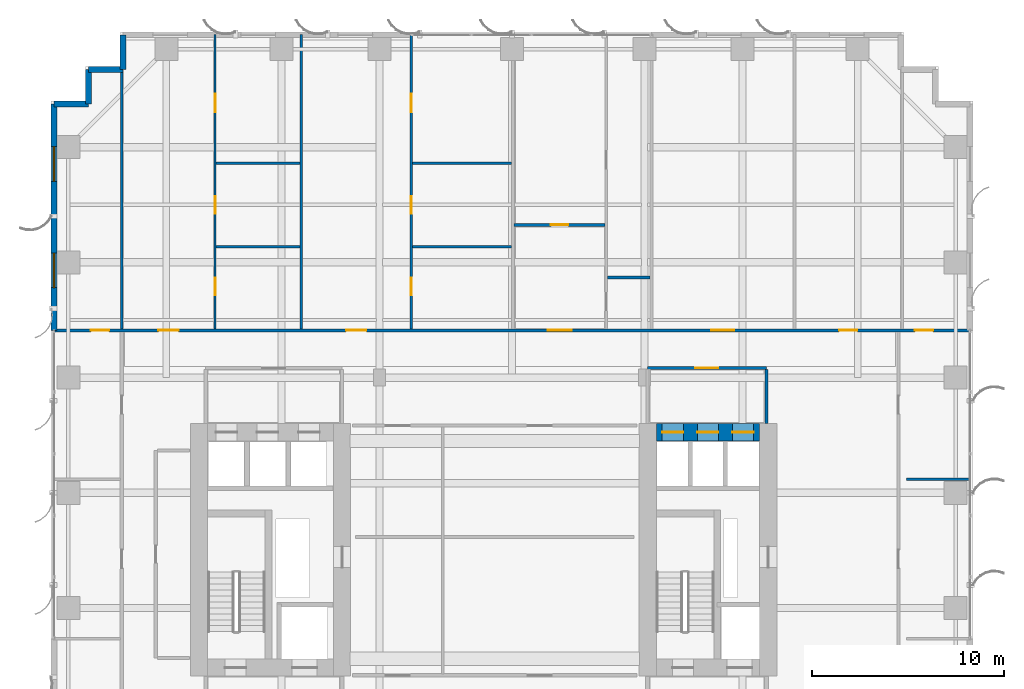
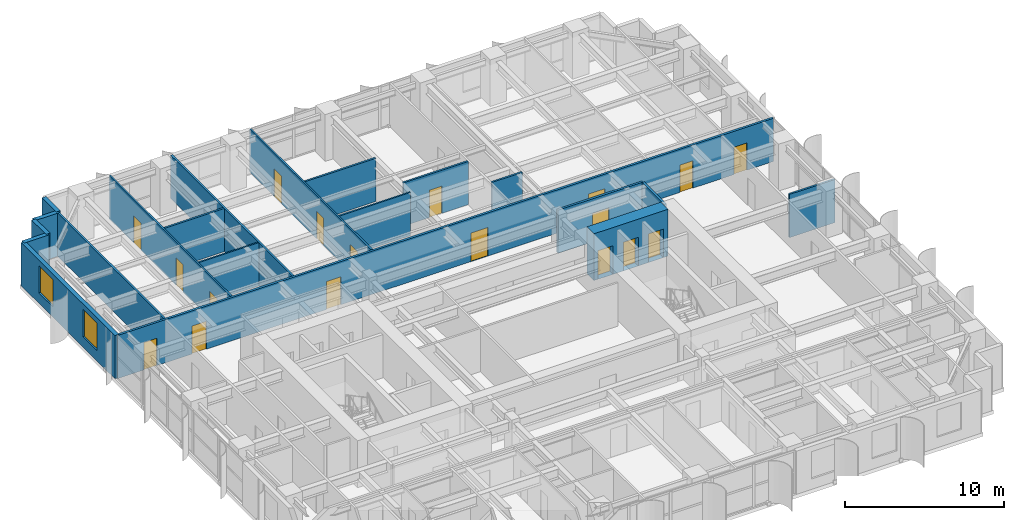
# One storey, part 19 of 24: 20 walls, 18 doors, 2 windows, 20 openings.
"""IFC4 building model written with IfcOpenShell, lengths in metres."""

from ifc_helpers import new_model, si_unit, direction, frame, frame_2d, origin, place, context, subcontext, project, spatial, rectangle, extrude, source, transform, mapped, material, layer, layer_set, type_object, element, fill, save


model = new_model("IFC4")

# Units and contexts
model_context = context("Model", 3, precision=1e-05, world=origin(), true_north=direction((0.0, 1.0)))
body_context = subcontext(model_context, "Body", "Model", "MODEL_VIEW")
ifc_project = project(units=[si_unit("LENGTHUNIT", "METRE"), si_unit("AREAUNIT", "SQUARE_METRE"), si_unit("VOLUMEUNIT", "CUBIC_METRE"), si_unit("PLANEANGLEUNIT", "RADIAN"), si_unit("MASSUNIT", "GRAM", prefix="KILO")], contexts=[model_context])

# Site, building, storey
site_placement = place(None, origin())
site = spatial("IfcSite", under=ifc_project, at=site_placement, CompositionType="ELEMENT")
building_placement = place(site_placement, origin())
building = spatial("IfcBuilding", under=site, at=building_placement, Name="Khoralis Quay Care Tower", CompositionType="ELEMENT")
storey_placement = place(building_placement, frame((0.0, 0.0, 40.5)))
storey = spatial("IfcBuildingStorey", under=building, at=storey_placement, Name="L10", CompositionType="ELEMENT", Elevation=40.5)

# Wall, openings, doors
ifc_material_1 = material(Name="Concrete C80/95", Category="concrete")
ifc_layer_1 = layer(ifc_material_1, 0.89990234375)
ifc_layer_set_1 = layer_set([ifc_layer_1], Name="Concrete C80/95")
wall_type_1 = type_object("IfcWallType", Name="WL-CORE-900", PredefinedType="SHEAR", material=ifc_layer_set_1)
wall_1_placement = place(storey_placement, frame((31.52001953125, 27.14990234375, 0.0), z_axis=(0.0, 0.0, 1.0), x_axis=(1.0, 0.0, 0.0)))
wall_1 = element("IfcWall", 1, at=wall_1_placement, inside=storey, type_object=wall_type_1, Name="L10 ECORE North Shear Wall", PredefinedType="SHEAR", context=body_context, shape_type="SweptSolid", body=[
    extrude(rectangle(XDim=5.3798828125, YDim=0.89990234375, at=frame_2d((2.68994140625, 0.0))), origin(), (0.0, 0.0, 1.0), 3.60009765625),
])
opening_1_placement = place(wall_1_placement, frame((0.300048828125, 0.0, 0.0)))
opening_1 = element("IfcOpeningElement", 2, at=opening_1_placement, cuts=wall_1, Name="Opening LD1", PredefinedType="OPENING", context=body_context, shape_type="SweptSolid", body=[
    extrude(rectangle(XDim=1.10009765625, YDim=2.199951171875, at=frame_2d((0.550048828125, 1.10009765625))), frame((0.0, 0.4599609375, 0.0), z_axis=(0.0, -1.0, 0.0), x_axis=(1.0, 0.0, 0.0)), (0.0, 0.0, 1.0), 0.919921875),
])
opening_2_placement = place(wall_1_placement, frame((2.1298828125, 0.0, 0.0)))
opening_2 = element("IfcOpeningElement", 3, at=opening_2_placement, cuts=wall_1, Name="Opening LD1", PredefinedType="OPENING", context=body_context, shape_type="SweptSolid", body=[
    extrude(rectangle(XDim=1.10009765625, YDim=2.199951171875, at=frame_2d((0.550048828125, 1.10009765625))), frame((0.0, 0.4599609375, 0.0), z_axis=(0.0, -1.0, 0.0), x_axis=(1.0, 0.0, 0.0)), (0.0, 0.0, 1.0), 0.919921875),
])
opening_3_placement = place(wall_1_placement, frame((3.9599609375, 0.0, 0.0)))
opening_3 = element("IfcOpeningElement", 4, at=opening_3_placement, cuts=wall_1, Name="Opening LD1", PredefinedType="OPENING", context=body_context, shape_type="SweptSolid", body=[
    extrude(rectangle(XDim=1.10009765625, YDim=2.199951171875, at=frame_2d((0.550048828125, 1.10009765625))), frame((0.0, 0.4599609375, 0.0), z_axis=(0.0, -1.0, 0.0), x_axis=(1.0, 0.0, 0.0)), (0.0, 0.0, 1.0), 0.919921875),
])
ifc_material_2 = material(Name="Brushed stainless steel", Category="steel")
door_type_1 = type_object("IfcDoorType", Name="DR-LIFT-1100X2200", OperationType="SLIDING_TO_LEFT", PredefinedType="DOOR", material=ifc_material_2)
shared_shape_1 = source(origin(), body_context, "Body", "SweptSolid", [
    extrude(rectangle(XDim=1.10009765625, YDim=2.199951171875, at=frame_2d((0.550048828125, 1.10009765625))), frame((0.0, 0.02490234375, 0.0), z_axis=(0.0, -1.0, 0.0), x_axis=(1.0, 0.0, 0.0)), (0.0, 0.0, 1.0), 0.050048828125),
])
door_1_placement = place(opening_1_placement, origin())
door_1 = element("IfcDoor", 5, at=door_1_placement, inside=storey, type_object=door_type_1, Name="L10 Lift PLL2 Landing Door", OperationType="SLIDING_TO_LEFT", OverallHeight=2.199951171875, OverallWidth=1.10009765625, PredefinedType="DOOR", context=body_context, shape_type="MappedRepresentation", body=[
    mapped(shared_shape_1, transform((0.0, 0.0, 0.0), scale=1.0)),
])
fill(opening_1, door_1)
door_2_placement = place(opening_2_placement, origin())
door_2 = element("IfcDoor", 6, at=door_2_placement, inside=storey, type_object=door_type_1, Name="L10 Lift PLM2 Landing Door", OperationType="SLIDING_TO_LEFT", OverallHeight=2.199951171875, OverallWidth=1.10009765625, PredefinedType="DOOR", context=body_context, shape_type="MappedRepresentation", body=[
    mapped(shared_shape_1, transform((0.0, 0.0, 0.0), scale=1.0)),
])
fill(opening_2, door_2)
door_3_placement = place(opening_3_placement, origin())
door_3 = element("IfcDoor", 7, at=door_3_placement, inside=storey, type_object=door_type_1, Name="L10 Lift PLH2 Landing Door", OperationType="SLIDING_TO_LEFT", OverallHeight=2.199951171875, OverallWidth=1.10009765625, PredefinedType="DOOR", context=body_context, shape_type="MappedRepresentation", body=[
    mapped(shared_shape_1, transform((0.0, 0.0, 0.0), scale=1.0)),
])
fill(opening_3, door_3)

# Wall, opening, door
ifc_material_3 = material(Name="Gypsum plasterboard on acoustic metal stud")
ifc_layer_2 = layer(ifc_material_3, 0.1650390625)
ifc_layer_set_2 = layer_set([ifc_layer_2], Name="Gypsum plasterboard on acoustic metal stud")
wall_type_2 = type_object("IfcWallType", Name="WL-CORR-165", PredefinedType="PARTITIONING", material=ifc_layer_set_2)
wall_2_placement = place(storey_placement, frame((31.050048828125, 30.5, 0.0), z_axis=(0.0, 0.0, 1.0), x_axis=(1.0, 0.0, 0.0)))
wall_2 = element("IfcWall", 8, at=wall_2_placement, inside=storey, type_object=wall_type_2, Name="L10 East Lift Lobby North Wall", PredefinedType="PARTITIONING", context=body_context, shape_type="SweptSolid", body=[
    extrude(rectangle(XDim=6.199951171875, YDim=0.1650390625, at=frame_2d((3.10009765625, 0.0))), origin(), (0.0, 0.0, 1.0), 3.320068359375),
])
opening_4_placement = place(wall_2_placement, frame((2.5, 0.0, 0.0)))
opening_4 = element("IfcOpeningElement", 9, at=opening_4_placement, cuts=wall_2, Name="Opening FD1", PredefinedType="OPENING", context=body_context, shape_type="SweptSolid", body=[
    extrude(rectangle(XDim=1.199951171875, YDim=2.199951171875, at=frame_2d((0.60009765625, 1.10009765625))), frame((0.0, 0.092529296875, 0.0), z_axis=(0.0, -1.0, 0.0), x_axis=(1.0, 0.0, 0.0)), (0.0, 0.0, 1.0), 0.18505859375),
])
ifc_material_4 = material(Name="Fire-rated painted steel", Category="steel")
door_type_2 = type_object("IfcDoorType", Name="DR-FFL-1200X2200", OperationType="NOTDEFINED", PredefinedType="DOOR", material=ifc_material_4)
shared_shape_2 = source(origin(), body_context, "Body", "SweptSolid", [
    extrude(rectangle(XDim=1.199951171875, YDim=2.199951171875, at=frame_2d((0.60009765625, 1.10009765625))), frame((0.0, 0.02490234375, 0.0), z_axis=(0.0, -1.0, 0.0), x_axis=(1.0, 0.0, 0.0)), (0.0, 0.0, 1.0), 0.050048828125),
])
door_4_placement = place(opening_4_placement, origin())
door_4 = element("IfcDoor", 10, at=door_4_placement, inside=storey, type_object=door_type_2, Name="L10 East Lift Lobby Double Door", OperationType="DOUBLE_DOOR_SINGLE_SWING", OverallHeight=2.199951171875, OverallWidth=1.199951171875, PredefinedType="DOOR", context=body_context, shape_type="MappedRepresentation", body=[
    mapped(shared_shape_2, transform((0.0, 0.0, 0.0), scale=1.0)),
])
fill(opening_4, door_4)

# Wall
wall_3_placement = place(storey_placement, frame((37.25, 27.6201171875, 0.0), z_axis=(0.0, 0.0, 1.0), x_axis=(0.0, 1.0, 0.0)))
element("IfcWall", 11, at=wall_3_placement, inside=storey, type_object=wall_type_2, Name="L10 East Lift Lobby East Wall", PredefinedType="PARTITIONING", context=body_context, shape_type="SweptSolid", body=[
    extrude(rectangle(XDim=2.802490234375, YDim=0.1650390625, at=frame_2d((1.4013671875, 0.0))), origin(), (0.0, 0.0, 1.0), 3.320068359375),
])

# Wall, openings, doors
wall_4_placement = place(storey_placement, frame((0.14501953125, 32.4599609375, 0.0), z_axis=(0.0, 0.0, 1.0), x_axis=(1.0, 0.0, 0.0)))
wall_4 = element("IfcWall", 12, at=wall_4_placement, inside=storey, type_object=wall_type_2, Name="L10 North Main Corridor Wall", PredefinedType="PARTITIONING", context=body_context, shape_type="SweptSolid", body=[
    extrude(rectangle(XDim=47.7099609375, YDim=0.1650390625, at=frame_2d((23.85498046875, 0.0))), origin(), (0.0, 0.0, 1.0), 3.320068359375),
])
opening_5_placement = place(wall_4_placement, frame((5.4384765625, 0.0, 0.0)))
opening_5 = element("IfcOpeningElement", 13, at=opening_5_placement, cuts=wall_4, Name="Opening UD1", PredefinedType="OPENING", context=body_context, shape_type="SweptSolid", body=[
    extrude(rectangle(XDim=1.050048828125, YDim=2.14990234375, at=frame_2d((0.52490234375, 1.074951171875))), frame((0.0, 0.092529296875, 0.0), z_axis=(0.0, -1.0, 0.0), x_axis=(1.0, 0.0, 0.0)), (0.0, 0.0, 1.0), 0.18505859375),
])
opening_6_placement = place(wall_4_placement, frame((15.218017578125, 0.0, 0.0)))
opening_6 = element("IfcOpeningElement", 14, at=opening_6_placement, cuts=wall_4, Name="Opening UD1", PredefinedType="OPENING", context=body_context, shape_type="SweptSolid", body=[
    extrude(rectangle(XDim=1.050048828125, YDim=2.14990234375, at=frame_2d((0.52490234375, 1.074951171875))), frame((0.0, 0.092529296875, 0.0), z_axis=(0.0, -1.0, 0.0), x_axis=(1.0, 0.0, 0.0)), (0.0, 0.0, 1.0), 0.18505859375),
])
opening_7_placement = place(wall_4_placement, frame((25.7099609375, 0.0, 0.0)))
opening_7 = element("IfcOpeningElement", 15, at=opening_7_placement, cuts=wall_4, Name="Opening CD1", PredefinedType="OPENING", context=body_context, shape_type="SweptSolid", body=[
    extrude(rectangle(XDim=1.25, YDim=2.199951171875, at=frame_2d((0.625, 1.10009765625))), frame((0.0, 0.092529296875, 0.0), z_axis=(0.0, -1.0, 0.0), x_axis=(1.0, 0.0, 0.0)), (0.0, 0.0, 1.0), 0.18505859375),
])
opening_8_placement = place(wall_4_placement, frame((34.239990234375, 0.0, 0.0)))
opening_8 = element("IfcOpeningElement", 16, at=opening_8_placement, cuts=wall_4, Name="Opening FD1", PredefinedType="OPENING", context=body_context, shape_type="SweptSolid", body=[
    extrude(rectangle(XDim=1.199951171875, YDim=2.199951171875, at=frame_2d((0.60009765625, 1.10009765625))), frame((0.0, 0.092529296875, 0.0), z_axis=(0.0, -1.0, 0.0), x_axis=(1.0, 0.0, 0.0)), (0.0, 0.0, 1.0), 0.18505859375),
])
opening_9_placement = place(wall_4_placement, frame((40.89501953125, 0.0, 0.0)))
opening_9 = element("IfcOpeningElement", 17, at=opening_9_placement, cuts=wall_4, Name="Opening ID1", PredefinedType="OPENING", context=body_context, shape_type="SweptSolid", body=[
    extrude(rectangle(XDim=0.949951171875, YDim=2.10009765625, at=frame_2d((0.47509765625, 1.050048828125))), frame((0.0, 0.092529296875, 0.0), z_axis=(0.0, -1.0, 0.0), x_axis=(1.0, 0.0, 0.0)), (0.0, 0.0, 1.0), 0.18505859375),
])
opening_10_placement = place(wall_4_placement, frame((1.919921875, 0.0, 0.0)))
opening_10 = element("IfcOpeningElement", 18, at=opening_10_placement, cuts=wall_4, Name="Opening ID1", PredefinedType="OPENING", context=body_context, shape_type="SweptSolid", body=[
    extrude(rectangle(XDim=0.949951171875, YDim=2.10009765625, at=frame_2d((0.47509765625, 1.050048828125))), frame((0.0, 0.092529296875, 0.0), z_axis=(0.0, -1.0, 0.0), x_axis=(1.0, 0.0, 0.0)), (0.0, 0.0, 1.0), 0.18505859375),
])
opening_11_placement = place(wall_4_placement, frame((44.840087890625, 0.0, 0.0)))
opening_11 = element("IfcOpeningElement", 19, at=opening_11_placement, cuts=wall_4, Name="Opening ID1", PredefinedType="OPENING", context=body_context, shape_type="SweptSolid", body=[
    extrude(rectangle(XDim=0.949951171875, YDim=2.10009765625, at=frame_2d((0.47509765625, 1.050048828125))), frame((0.0, 0.092529296875, 0.0), z_axis=(0.0, -1.0, 0.0), x_axis=(1.0, 0.0, 0.0)), (0.0, 0.0, 1.0), 0.18505859375),
])
door_5_placement = place(opening_8_placement, origin())
door_5 = element("IfcDoor", 20, at=door_5_placement, inside=storey, type_object=door_type_2, Name="L10 Senior Wellness Pharmacy Shop Door", OperationType="DOUBLE_DOOR_SINGLE_SWING", OverallHeight=2.199951171875, OverallWidth=1.199951171875, PredefinedType="DOOR", context=body_context, shape_type="MappedRepresentation", body=[
    mapped(shared_shape_2, transform((0.0, 0.0, 0.0), scale=1.0)),
])
fill(opening_8, door_5)
ifc_material_5 = material(Name="Acoustic hardwood timber", Category="wood")
door_type_3 = type_object("IfcDoorType", Name="DR-CARE-1250X2200", OperationType="NOTDEFINED", PredefinedType="DOOR", material=ifc_material_5)
shared_shape_3 = source(origin(), body_context, "Body", "SweptSolid", [
    extrude(rectangle(XDim=1.25, YDim=2.199951171875, at=frame_2d((0.625, 1.10009765625))), frame((0.0, 0.02490234375, 0.0), z_axis=(0.0, -1.0, 0.0), x_axis=(1.0, 0.0, 0.0)), (0.0, 0.0, 1.0), 0.050048828125),
])
door_6_placement = place(opening_7_placement, origin())
door_6 = element("IfcDoor", 21, at=door_6_placement, inside=storey, type_object=door_type_3, Name="L10 Care Suite NB2 Clinical Door", OperationType="SINGLE_SWING_RIGHT", OverallHeight=2.199951171875, OverallWidth=1.25, PredefinedType="DOOR", context=body_context, shape_type="MappedRepresentation", body=[
    mapped(shared_shape_3, transform((0.0, 0.0, 0.0), scale=1.0)),
])
fill(opening_7, door_6)
door_type_4 = type_object("IfcDoorType", Name="DR-ROOM-950X2100", OperationType="NOTDEFINED", PredefinedType="DOOR", material=ifc_material_5)
shared_shape_4 = source(origin(), body_context, "Body", "SweptSolid", [
    extrude(rectangle(XDim=0.949951171875, YDim=2.10009765625, at=frame_2d((0.47509765625, 1.050048828125))), frame((0.0, 0.02490234375, 0.0), z_axis=(0.0, -1.0, 0.0), x_axis=(1.0, 0.0, 0.0)), (0.0, 0.0, 1.0), 0.050048828125),
])
door_7_placement = place(opening_9_placement, origin())
door_7 = element("IfcDoor", 22, at=door_7_placement, inside=storey, type_object=door_type_4, Name="L10 Family Case Conference Room Door", OperationType="SINGLE_SWING_LEFT", OverallHeight=2.10009765625, OverallWidth=0.949951171875, PredefinedType="DOOR", context=body_context, shape_type="MappedRepresentation", body=[
    mapped(shared_shape_4, transform((0.0, 0.0, 0.0), scale=1.0)),
])
fill(opening_9, door_7)
door_8_placement = place(opening_10_placement, origin())
door_8 = element("IfcDoor", 23, at=door_8_placement, inside=storey, type_object=door_type_4, Name="L10 NW Corner Door", OperationType="SINGLE_SWING_RIGHT", OverallHeight=2.10009765625, OverallWidth=0.949951171875, PredefinedType="DOOR", context=body_context, shape_type="MappedRepresentation", body=[
    mapped(shared_shape_4, transform((0.0, 0.0, 0.0), scale=1.0)),
])
fill(opening_10, door_8)
door_9_placement = place(opening_11_placement, origin())
door_9 = element("IfcDoor", 24, at=door_9_placement, inside=storey, type_object=door_type_4, Name="L10 NE Corner Door", OperationType="SINGLE_SWING_LEFT", OverallHeight=2.10009765625, OverallWidth=0.949951171875, PredefinedType="DOOR", context=body_context, shape_type="MappedRepresentation", body=[
    mapped(shared_shape_4, transform((0.0, 0.0, 0.0), scale=1.0)),
])
fill(opening_11, door_9)
door_type_5 = type_object("IfcDoorType", Name="DR-SUITE-1050X2150", OperationType="NOTDEFINED", PredefinedType="DOOR", material=ifc_material_5)
shared_shape_5 = source(origin(), body_context, "Body", "SweptSolid", [
    extrude(rectangle(XDim=1.050048828125, YDim=2.14990234375, at=frame_2d((0.52490234375, 1.074951171875))), frame((0.0, 0.02490234375, 0.0), z_axis=(0.0, -1.0, 0.0), x_axis=(1.0, 0.0, 0.0)), (0.0, 0.0, 1.0), 0.050048828125),
])
door_10_placement = place(opening_5_placement, origin())
door_10 = element("IfcDoor", 25, at=door_10_placement, inside=storey, type_object=door_type_5, Name="L10 Apartment NB0 Entrance Door", OperationType="SINGLE_SWING_RIGHT", OverallHeight=2.14990234375, OverallWidth=1.050048828125, PredefinedType="DOOR", context=body_context, shape_type="MappedRepresentation", body=[
    mapped(shared_shape_5, transform((0.0, 0.0, 0.0), scale=1.0)),
])
fill(opening_5, door_10)
door_11_placement = place(opening_6_placement, origin())
door_11 = element("IfcDoor", 26, at=door_11_placement, inside=storey, type_object=door_type_5, Name="L10 Apartment NB1 Entrance Door", OperationType="SINGLE_SWING_LEFT", OverallHeight=2.14990234375, OverallWidth=1.050048828125, PredefinedType="DOOR", context=body_context, shape_type="MappedRepresentation", body=[
    mapped(shared_shape_5, transform((0.0, 0.0, 0.0), scale=1.0)),
])
fill(opening_6, door_11)

# Walls
ifc_material_6 = material(Name="Precast concrete C45/55", Category="concrete")
ifc_layer_3 = layer(ifc_material_6, 0.300048828125)
ifc_layer_set_3 = layer_set([ifc_layer_3], Name="Precast concrete C45/55")
wall_type_3 = type_object("IfcWallType", Name="WL-EXT-REF-300", PredefinedType="SOLIDWALL", material=ifc_layer_set_3)
for number, where, z_axis, x_axis, name in (
    (27, (3.75, 47.85009765625, 0.0), (0.0, 0.0, 1.0), (0.0, -1.0, 0.0), "L10 External Facade Wall WL-EXT-L10-P1-C11"),
    (28, (3.75, 46.050048828125, 0.0), (0.0, 0.0, 1.0), (-1.0, 0.0, 0.0), "L10 External Facade Wall WL-EXT-L10-P1-C12"),
    (29, (1.949951171875, 46.050048828125, 0.0), (0.0, 0.0, 1.0), (0.0, -1.0, 0.0), "L10 External Facade Wall WL-EXT-L10-P1-C13"),
    (30, (1.949951171875, 44.25, 0.0), (0.0, 0.0, 1.0), (-1.0, 0.0, 0.0), "L10 External Facade Wall WL-EXT-L10-P1-C14"),
):
    element("IfcWall", number, at=place(storey_placement, frame(where, z_axis=z_axis, x_axis=x_axis)), inside=storey, type_object=wall_type_3, Name=name, PredefinedType="SOLIDWALL", context=body_context, shape_type="SweptSolid", body=[
        extrude(rectangle(XDim=1.800048828125, YDim=0.300048828125, at=frame_2d((0.89990234375, 0.0))), origin(), (0.0, 0.0, 1.0), 3.320068359375),
    ])

# Wall, openings, windows
wall_5_placement = place(storey_placement, frame((0.14990234375, 44.25, 0.0), z_axis=(0.0, 0.0, 1.0), x_axis=(0.0, -1.0, 0.0)))
wall_5 = element("IfcWall", 31, at=wall_5_placement, inside=storey, type_object=wall_type_3, Name="L10 External Facade Wall WL-EXT-L10-P1-E15A", PredefinedType="SOLIDWALL", context=body_context, shape_type="SweptSolid", body=[
    extrude(rectangle(XDim=11.7900390625, YDim=0.300048828125, at=frame_2d((5.89501953125, 0.0))), origin(), (0.0, 0.0, 1.0), 3.320068359375),
])
opening_12_placement = place(wall_5_placement, frame((2.2275390625, 0.0, 0.800048828125)))
opening_12 = element("IfcOpeningElement", 32, at=opening_12_placement, cuts=wall_5, Name="Opening W2", PredefinedType="OPENING", context=body_context, shape_type="SweptSolid", body=[
    extrude(rectangle(XDim=1.800048828125, YDim=2.10009765625, at=frame_2d((0.89990234375, 1.050048828125))), frame((0.0, 0.16015625, 0.0), z_axis=(0.0, -1.0, 0.0), x_axis=(1.0, 0.0, 0.0)), (0.0, 0.0, 1.0), 0.320068359375),
])
opening_13_placement = place(wall_5_placement, frame((7.762451171875, 0.0, 0.800048828125)))
opening_13 = element("IfcOpeningElement", 33, at=opening_13_placement, cuts=wall_5, Name="Opening W2", PredefinedType="OPENING", context=body_context, shape_type="SweptSolid", body=[
    extrude(rectangle(XDim=1.800048828125, YDim=2.10009765625, at=frame_2d((0.89990234375, 1.050048828125))), frame((0.0, 0.16015625, 0.0), z_axis=(0.0, -1.0, 0.0), x_axis=(1.0, 0.0, 0.0)), (0.0, 0.0, 1.0), 0.320068359375),
])
ifc_material_7 = material(Name="Low-E solar-control double glazing", Category="glass")
window_type = type_object("IfcWindowType", Name="WN-POD-1800X2100", PartitioningType="SINGLE_PANEL", PredefinedType="WINDOW", material=ifc_material_7)
shared_shape_6 = source(origin(), body_context, "Body", "SweptSolid", [
    extrude(rectangle(XDim=1.800048828125, YDim=2.10009765625, at=frame_2d((0.89990234375, 1.050048828125))), frame((0.0, 0.030029296875, 0.0), z_axis=(0.0, -1.0, 0.0), x_axis=(1.0, 0.0, 0.0)), (0.0, 0.0, 1.0), 0.06005859375),
])
window_1_placement = place(opening_12_placement, origin())
window_1 = element("IfcWindow", 34, at=window_1_placement, inside=storey, type_object=window_type, Name="WN-L10-P1-E15A Facade Window 01", OverallHeight=2.10009765625, OverallWidth=1.800048828125, PartitioningType="SINGLE_PANEL", PredefinedType="WINDOW", context=body_context, shape_type="MappedRepresentation", body=[
    mapped(shared_shape_6, transform((0.0, 0.0, 0.0), scale=1.0)),
])
fill(opening_12, window_1)
window_2_placement = place(opening_13_placement, origin())
window_2 = element("IfcWindow", 35, at=window_2_placement, inside=storey, type_object=window_type, Name="WN-L10-P1-E15A Facade Window 02", OverallHeight=2.10009765625, OverallWidth=1.800048828125, PartitioningType="SINGLE_PANEL", PredefinedType="WINDOW", context=body_context, shape_type="MappedRepresentation", body=[
    mapped(shared_shape_6, transform((0.0, 0.0, 0.0), scale=1.0)),
])
fill(opening_13, window_2)

# Wall, openings, doors
ifc_layer_4 = layer(ifc_material_3, 0.114990234375)
ifc_layer_set_4 = layer_set([ifc_layer_4], Name="Gypsum plasterboard on acoustic metal stud")
wall_type_4 = type_object("IfcWallType", Name="WL-PART-115", PredefinedType="PARTITIONING", material=ifc_layer_set_4)
wall_6_placement = place(storey_placement, frame((8.537109375, 32.53759765625, 0.0), z_axis=(0.0, 0.0, 1.0), x_axis=(0.0, 1.0, 0.0)))
wall_6 = element("IfcWall", 36, at=wall_6_placement, inside=storey, type_object=wall_type_4, Name="L10 Unit 0 Internal Wall", PredefinedType="PARTITIONING", context=body_context, shape_type="SweptSolid", body=[
    extrude(rectangle(XDim=15.3173828125, YDim=0.114990234375, at=frame_2d((7.65869140625, 0.0))), origin(), (0.0, 0.0, 1.0), 3.320068359375),
])
opening_14_placement = place(wall_6_placement, frame((11.29345703125, 0.0, 0.0)))
opening_14 = element("IfcOpeningElement", 37, at=opening_14_placement, cuts=wall_6, Name="Opening ID1", PredefinedType="OPENING", context=body_context, shape_type="SweptSolid", body=[
    extrude(rectangle(XDim=0.949951171875, YDim=2.10009765625, at=frame_2d((0.47509765625, 1.050048828125))), frame((0.0, 0.0673828125, 0.0), z_axis=(0.0, -1.0, 0.0), x_axis=(1.0, 0.0, 0.0)), (0.0, 0.0, 1.0), 0.135009765625),
])
opening_15_placement = place(wall_6_placement, frame((5.9990234375, 0.0, 0.0)))
opening_15 = element("IfcOpeningElement", 38, at=opening_15_placement, cuts=wall_6, Name="Opening WD1", PredefinedType="OPENING", context=body_context, shape_type="SweptSolid", body=[
    extrude(rectangle(XDim=0.89990234375, YDim=2.10009765625, at=frame_2d((0.449951171875, 1.050048828125))), frame((0.0, 0.0673828125, 0.0), z_axis=(0.0, -1.0, 0.0), x_axis=(1.0, 0.0, 0.0)), (0.0, 0.0, 1.0), 0.135009765625),
])
opening_16_placement = place(wall_6_placement, frame((1.762939453125, 0.0, 0.0)))
opening_16 = element("IfcOpeningElement", 39, at=opening_16_placement, cuts=wall_6, Name="Opening WD1", PredefinedType="OPENING", context=body_context, shape_type="SweptSolid", body=[
    extrude(rectangle(XDim=0.89990234375, YDim=2.10009765625, at=frame_2d((0.449951171875, 1.050048828125))), frame((0.0, 0.0673828125, 0.0), z_axis=(0.0, -1.0, 0.0), x_axis=(1.0, 0.0, 0.0)), (0.0, 0.0, 1.0), 0.135009765625),
])
door_type_6 = type_object("IfcDoorType", Name="DR-BATH-900X2100", OperationType="NOTDEFINED", PredefinedType="DOOR", material=ifc_material_5)
shared_shape_7 = source(origin(), body_context, "Body", "SweptSolid", [
    extrude(rectangle(XDim=0.89990234375, YDim=2.10009765625, at=frame_2d((0.449951171875, 1.050048828125))), frame((0.0, 0.02490234375, 0.0), z_axis=(0.0, -1.0, 0.0), x_axis=(1.0, 0.0, 0.0)), (0.0, 0.0, 1.0), 0.050048828125),
])
door_12_placement = place(opening_15_placement, frame((0.89990234375, 0.0, 0.0), z_axis=(0.0, 0.0, 1.0), x_axis=(-1.0, 0.0, 0.0)))
door_12 = element("IfcDoor", 40, at=door_12_placement, inside=storey, type_object=door_type_6, Name="L10 Apartment NB0 KIT Door", OperationType="SINGLE_SWING_RIGHT", OverallHeight=2.10009765625, OverallWidth=0.89990234375, PredefinedType="DOOR", context=body_context, shape_type="MappedRepresentation", body=[
    mapped(shared_shape_7, transform((0.0, 0.0, 0.0), scale=1.0)),
])
fill(opening_15, door_12)
door_13_placement = place(opening_16_placement, frame((0.89990234375, 0.0, 0.0), z_axis=(0.0, 0.0, 1.0), x_axis=(-1.0, 0.0, 0.0)))
door_13 = element("IfcDoor", 41, at=door_13_placement, inside=storey, type_object=door_type_6, Name="L10 Apartment NB0 BTH Door", OperationType="SINGLE_SWING_LEFT", OverallHeight=2.10009765625, OverallWidth=0.89990234375, PredefinedType="DOOR", context=body_context, shape_type="MappedRepresentation", body=[
    mapped(shared_shape_7, transform((0.0, 0.0, 0.0), scale=1.0)),
])
fill(opening_16, door_13)
door_14_placement = place(opening_14_placement, frame((0.949951171875, 0.0, 0.0), z_axis=(0.0, 0.0, 1.0), x_axis=(-1.0, 0.0, 0.0)))
door_14 = element("IfcDoor", 42, at=door_14_placement, inside=storey, type_object=door_type_4, Name="L10 Apartment NB0 BED Door", OperationType="SINGLE_SWING_LEFT", OverallHeight=2.10009765625, OverallWidth=0.949951171875, PredefinedType="DOOR", context=body_context, shape_type="MappedRepresentation", body=[
    mapped(shared_shape_4, transform((0.0, 0.0, 0.0), scale=1.0)),
])
fill(opening_14, door_14)

# Wall
wall_7_placement = place(storey_placement, frame((8.589599609375, 36.81103515625, 0.0), z_axis=(0.0, 0.0, 1.0), x_axis=(1.0, 0.0, 0.0)))
element("IfcWall", 43, at=wall_7_placement, inside=storey, type_object=wall_type_4, Name="L10 Unit 0 Kitchen Wall", PredefinedType="PARTITIONING", context=body_context, shape_type="SweptSolid", body=[
    extrude(rectangle(XDim=4.365478515625, YDim=0.114990234375, at=frame_2d((2.1826171875, 0.0))), origin(), (0.0, 0.0, 1.0), 3.320068359375),
])

# Wall, openings, doors
wall_8_placement = place(storey_placement, frame((18.756103515625, 32.53759765625, 0.0), z_axis=(0.0, 0.0, 1.0), x_axis=(0.0, 1.0, 0.0)))
wall_8 = element("IfcWall", 44, at=wall_8_placement, inside=storey, type_object=wall_type_4, Name="L10 Unit 1 Internal Wall", PredefinedType="PARTITIONING", context=body_context, shape_type="SweptSolid", body=[
    extrude(rectangle(XDim=15.3173828125, YDim=0.114990234375, at=frame_2d((7.65869140625, 0.0))), origin(), (0.0, 0.0, 1.0), 3.320068359375),
])
opening_17_placement = place(wall_8_placement, frame((11.29345703125, 0.0, 0.0)))
opening_17 = element("IfcOpeningElement", 45, at=opening_17_placement, cuts=wall_8, Name="Opening ID1", PredefinedType="OPENING", context=body_context, shape_type="SweptSolid", body=[
    extrude(rectangle(XDim=0.949951171875, YDim=2.10009765625, at=frame_2d((0.47509765625, 1.050048828125))), frame((0.0, 0.0673828125, 0.0), z_axis=(0.0, -1.0, 0.0), x_axis=(1.0, 0.0, 0.0)), (0.0, 0.0, 1.0), 0.135009765625),
])
opening_18_placement = place(wall_8_placement, frame((5.9990234375, 0.0, 0.0)))
opening_18 = element("IfcOpeningElement", 46, at=opening_18_placement, cuts=wall_8, Name="Opening WD1", PredefinedType="OPENING", context=body_context, shape_type="SweptSolid", body=[
    extrude(rectangle(XDim=0.89990234375, YDim=2.10009765625, at=frame_2d((0.449951171875, 1.050048828125))), frame((0.0, 0.0673828125, 0.0), z_axis=(0.0, -1.0, 0.0), x_axis=(1.0, 0.0, 0.0)), (0.0, 0.0, 1.0), 0.135009765625),
])
opening_19_placement = place(wall_8_placement, frame((1.762939453125, 0.0, 0.0)))
opening_19 = element("IfcOpeningElement", 47, at=opening_19_placement, cuts=wall_8, Name="Opening WD1", PredefinedType="OPENING", context=body_context, shape_type="SweptSolid", body=[
    extrude(rectangle(XDim=0.89990234375, YDim=2.10009765625, at=frame_2d((0.449951171875, 1.050048828125))), frame((0.0, 0.0673828125, 0.0), z_axis=(0.0, -1.0, 0.0), x_axis=(1.0, 0.0, 0.0)), (0.0, 0.0, 1.0), 0.135009765625),
])
door_15_placement = place(opening_18_placement, frame((0.89990234375, 0.0, 0.0), z_axis=(0.0, 0.0, 1.0), x_axis=(-1.0, 0.0, 0.0)))
door_15 = element("IfcDoor", 48, at=door_15_placement, inside=storey, type_object=door_type_6, Name="L10 Apartment NB1 KIT Door", OperationType="SINGLE_SWING_LEFT", OverallHeight=2.10009765625, OverallWidth=0.89990234375, PredefinedType="DOOR", context=body_context, shape_type="MappedRepresentation", body=[
    mapped(shared_shape_7, transform((0.0, 0.0, 0.0), scale=1.0)),
])
fill(opening_18, door_15)
door_16_placement = place(opening_19_placement, frame((0.89990234375, 0.0, 0.0), z_axis=(0.0, 0.0, 1.0), x_axis=(-1.0, 0.0, 0.0)))
door_16 = element("IfcDoor", 49, at=door_16_placement, inside=storey, type_object=door_type_6, Name="L10 Apartment NB1 BTH Door", OperationType="SINGLE_SWING_RIGHT", OverallHeight=2.10009765625, OverallWidth=0.89990234375, PredefinedType="DOOR", context=body_context, shape_type="MappedRepresentation", body=[
    mapped(shared_shape_7, transform((0.0, 0.0, 0.0), scale=1.0)),
])
fill(opening_19, door_16)
door_17_placement = place(opening_17_placement, frame((0.949951171875, 0.0, 0.0), z_axis=(0.0, 0.0, 1.0), x_axis=(-1.0, 0.0, 0.0)))
door_17 = element("IfcDoor", 50, at=door_17_placement, inside=storey, type_object=door_type_4, Name="L10 Apartment NB1 BED Door", OperationType="SINGLE_SWING_RIGHT", OverallHeight=2.10009765625, OverallWidth=0.949951171875, PredefinedType="DOOR", context=body_context, shape_type="MappedRepresentation", body=[
    mapped(shared_shape_4, transform((0.0, 0.0, 0.0), scale=1.0)),
])
fill(opening_17, door_17)

# Walls
wall_9_placement = place(storey_placement, frame((18.80859375, 36.81103515625, 0.0), z_axis=(0.0, 0.0, 1.0), x_axis=(1.0, 0.0, 0.0)))
element("IfcWall", 51, at=wall_9_placement, inside=storey, type_object=wall_type_4, Name="L10 Unit 1 Kitchen Wall", PredefinedType="PARTITIONING", context=body_context, shape_type="SweptSolid", body=[
    extrude(rectangle(XDim=5.176513671875, YDim=0.114990234375, at=frame_2d((2.58837890625, 0.0))), origin(), (0.0, 0.0, 1.0), 3.320068359375),
])
ifc_material_8 = material(Name="Moisture-resistant gypsum and ceramic tile")
ifc_layer_5 = layer(ifc_material_8, 0.280029296875)
ifc_layer_set_5 = layer_set([ifc_layer_5], Name="Moisture-resistant gypsum and ceramic tile")
wall_type_5 = type_object("IfcWallType", Name="WL-PLUMB-280", PredefinedType="PLUMBINGWALL", material=ifc_layer_set_5)
wall_10_placement = place(storey_placement, frame((8.589599609375, 41.162109375, 0.0), z_axis=(0.0, 0.0, 1.0), x_axis=(1.0, 0.0, 0.0)))
element("IfcWall", 52, at=wall_10_placement, inside=storey, type_object=wall_type_5, Name="L10 Unit 0 Wet Wall", PredefinedType="PLUMBINGWALL", context=body_context, shape_type="SweptSolid", body=[
    extrude(rectangle(XDim=4.365478515625, YDim=0.139892578125, at=frame_2d((2.1826171875, 0.0))), origin(), (0.0, 0.0, 1.0), 3.320068359375),
])
wall_11_placement = place(storey_placement, frame((18.80859375, 41.162109375, 0.0), z_axis=(0.0, 0.0, 1.0), x_axis=(1.0, 0.0, 0.0)))
element("IfcWall", 53, at=wall_11_placement, inside=storey, type_object=wall_type_5, Name="L10 Unit 1 Wet Wall", PredefinedType="PLUMBINGWALL", context=body_context, shape_type="SweptSolid", body=[
    extrude(rectangle(XDim=5.176513671875, YDim=0.139892578125, at=frame_2d((2.58837890625, 0.0))), origin(), (0.0, 0.0, 1.0), 3.320068359375),
])
wall_12_placement = place(storey_placement, frame((28.97509765625, 35.2099609375, 0.0), z_axis=(0.0, 0.0, 1.0), x_axis=(1.0, 0.0, 0.0)))
element("IfcWall", 54, at=wall_12_placement, inside=storey, type_object=wall_type_5, Name="L10 Care Suite 2 En-Suite Wall H", PredefinedType="PLUMBINGWALL", context=body_context, shape_type="SweptSolid", body=[
    extrude(rectangle(XDim=2.219970703125, YDim=0.139892578125, at=frame_2d((1.10986328125, 0.0))), origin(), (0.0, 0.0, 1.0), 3.320068359375),
])
ifc_layer_6 = layer(ifc_material_3, 0.139892578125)
ifc_layer_set_6 = layer_set([ifc_layer_6], Name="Gypsum plasterboard on acoustic metal stud")
wall_type_6 = type_object("IfcWallType", Name="WL-UNIT-140", PredefinedType="PARTITIONING", material=ifc_layer_set_6)
wall_13_placement = place(storey_placement, frame((44.5400390625, 24.699951171875, 0.0), z_axis=(0.0, 0.0, 1.0), x_axis=(1.0, 0.0, 0.0)))
element("IfcWall", 55, at=wall_13_placement, inside=storey, type_object=wall_type_6, Name="L10 EE Divider 2", PredefinedType="PARTITIONING", context=body_context, shape_type="SweptSolid", body=[
    extrude(rectangle(XDim=3.31494140625, YDim=0.139892578125, at=frame_2d((1.657470703125, 0.0))), origin(), (0.0, 0.0, 1.0), 3.320068359375),
])
wall_14_placement = place(storey_placement, frame((3.679931640625, 32.53759765625, 0.0), z_axis=(0.0, 0.0, 1.0), x_axis=(0.0, 1.0, 0.0)))
element("IfcWall", 56, at=wall_14_placement, inside=storey, type_object=wall_type_6, Name="L10 NB Demising Wall 0", PredefinedType="PARTITIONING", context=body_context, shape_type="SweptSolid", body=[
    extrude(rectangle(XDim=13.517333984375, YDim=0.139892578125, at=frame_2d((6.7587890625, 0.0))), origin(), (0.0, 0.0, 1.0), 3.320068359375),
])
wall_15_placement = place(storey_placement, frame((13.02001953125, 32.53759765625, 0.0), z_axis=(0.0, 0.0, 1.0), x_axis=(0.0, 1.0, 0.0)))
element("IfcWall", 57, at=wall_15_placement, inside=storey, type_object=wall_type_6, Name="L10 NB Demising Wall 1", PredefinedType="PARTITIONING", context=body_context, shape_type="SweptSolid", body=[
    extrude(rectangle(XDim=15.3173828125, YDim=0.139892578125, at=frame_2d((7.65869140625, 0.0))), origin(), (0.0, 0.0, 1.0), 3.320068359375),
])

# Wall, opening, door
wall_16_placement = place(storey_placement, frame((24.114990234375, 37.949951171875, 0.0), z_axis=(0.0, 0.0, 1.0), x_axis=(1.0, 0.0, 0.0)))
wall_16 = element("IfcWall", 58, at=wall_16_placement, inside=storey, type_object=wall_type_6, Name="Skilled Care Bedroom L10-NB2 Sub-Partition", PredefinedType="PARTITIONING", context=body_context, shape_type="SweptSolid", body=[
    extrude(rectangle(XDim=4.72998046875, YDim=0.139892578125, at=frame_2d((2.364990234375, 0.0))), origin(), (0.0, 0.0, 1.0), 3.320068359375),
])
opening_20_placement = place(wall_16_placement, frame((1.9150390625, 0.0, 0.0)))
opening_20 = element("IfcOpeningElement", 59, at=opening_20_placement, cuts=wall_16, Name="Opening WD1", PredefinedType="OPENING", context=body_context, shape_type="SweptSolid", body=[
    extrude(rectangle(XDim=0.89990234375, YDim=2.10009765625, at=frame_2d((0.449951171875, 1.050048828125))), frame((0.0, 0.080078125, 0.0), z_axis=(0.0, -1.0, 0.0), x_axis=(1.0, 0.0, 0.0)), (0.0, 0.0, 1.0), 0.159912109375),
])
door_18_placement = place(opening_20_placement, frame((0.89990234375, 0.0, 0.0), z_axis=(0.0, 0.0, 1.0), x_axis=(-1.0, 0.0, 0.0)))
door_18 = element("IfcDoor", 60, at=door_18_placement, inside=storey, type_object=door_type_6, Name="Private Study & Reading Alcove ARE2 Door", OperationType="SINGLE_SWING_LEFT", OverallHeight=2.10009765625, OverallWidth=0.89990234375, PredefinedType="DOOR", context=body_context, shape_type="MappedRepresentation", body=[
    mapped(shared_shape_7, transform((0.0, 0.0, 0.0), scale=1.0)),
])
fill(opening_20, door_18)

save(model, "model.ifc")
